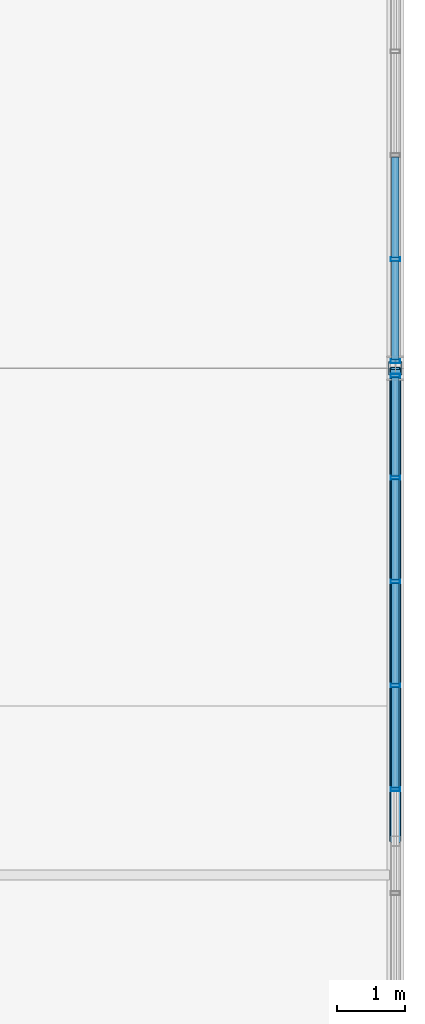
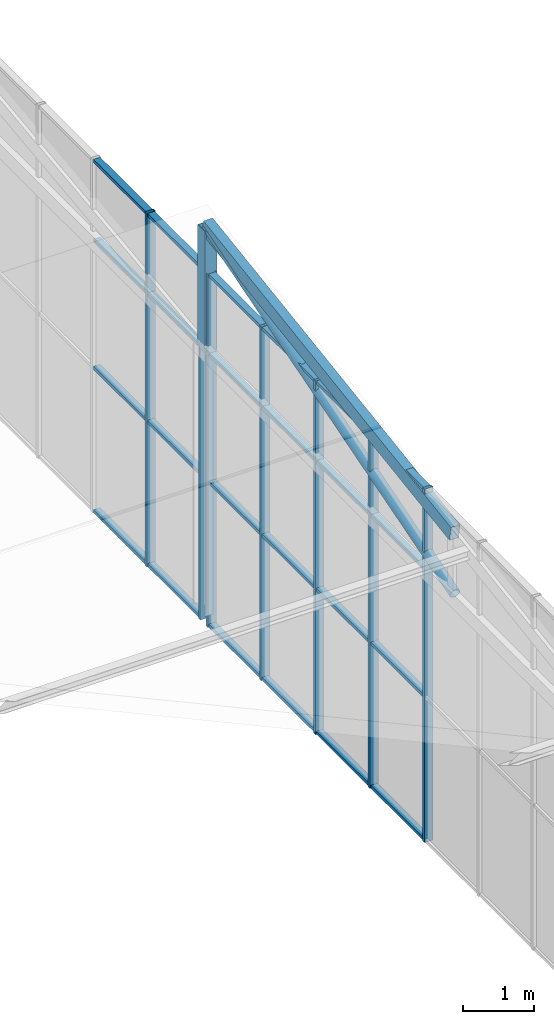
# One storey, part 67 of 104: 34 members, 2 elements without a shape of their own.
"""IFC4 building model written with IfcOpenShell, lengths in metres."""

import ifcopenshell
import ifcopenshell.guid

model = None  # the IFC model being written
_history = None  # IfcOwnerHistory: only IFC2X3 demands one
_inside = {}  # id of a spatial element -> (the spatial element, [elements in it])
_under = {}  # id of a project, library or spatial element -> (it, [spatial elements below it])
_declared = {}  # id of a project -> (the project, [libraries it declares])
_typed = {}  # id of a type object -> (the type object, [elements of that type])
_made_of = {}  # id of a material, layer set ... -> (it, [elements and type objects made of it])


def new_model(schema):
    """Start an empty IFC model of exactly this schema.

    Asked for "IFC4X3", IfcOpenShell would pick the latest addendum, in which some entities
    have other attributes; the version numbers below select the first issue.
    IFC2X3 requires an IfcOwnerHistory on every rooted entity: one is made here for all.
    """
    global model, _history
    if schema == "IFC4X3":
        model = ifcopenshell.file(schema_version=(4, 3, 0, 0))
    else:
        model = ifcopenshell.file(schema=schema)
    _inside.clear()
    _under.clear()
    _declared.clear()
    _typed.clear()
    _made_of.clear()
    _history = None
    if model.schema == "IFC2X3":
        org = make("IfcOrganization", Name="unknown")
        user = make(
            "IfcPersonAndOrganization",
            ThePerson=make("IfcPerson", FamilyName="unknown"),
            TheOrganization=org,
        )
        app = make(
            "IfcApplication",
            ApplicationDeveloper=org,
            Version="unknown",
            ApplicationFullName="unknown",
            ApplicationIdentifier="unknown",
        )
        _history = make(
            "IfcOwnerHistory",
            OwningUser=user,
            OwningApplication=app,
            ChangeAction="ADDED",
            CreationDate=0,
        )
    return model


def make(cls, **values):
    """One entity of the class cls with the attributes given. An attribute that is None is left unset."""
    return model.create_entity(
        cls, **{name: value for name, value in values.items() if value is not None}
    )


def rooted(cls, **values):
    """An entity with a GlobalId (a new one), such as an element, a storey or a relation."""
    return make(cls, GlobalId=ifcopenshell.guid.new(), OwnerHistory=_history, **values)


def si_unit(unit_type, name, prefix=None):
    """IfcSIUnit, for example si_unit("LENGTHUNIT", "METRE", prefix="MILLI")."""
    return make("IfcSIUnit", UnitType=unit_type, Prefix=prefix, Name=name)


def assignment(units):
    """IfcUnitAssignment: the units of a project."""
    return None if units is None else make("IfcUnitAssignment", Units=units)


def point(xyz):
    """IfcCartesianPoint."""
    return None if xyz is None else make("IfcCartesianPoint", Coordinates=xyz)


def direction(xyz):
    """IfcDirection."""
    return None if xyz is None else make("IfcDirection", DirectionRatios=xyz)


def frame(location, z_axis=None, x_axis=None):
    """IfcAxis2Placement3D, a coordinate frame: its origin and axes. An axis left out is left unset."""
    return make(
        "IfcAxis2Placement3D",
        Location=point(location),
        Axis=direction(z_axis),
        RefDirection=direction(x_axis),
    )


def frame_2d(location, x_axis=None):
    """IfcAxis2Placement2D, a coordinate frame in the plane: its origin and x axis."""
    return make(
        "IfcAxis2Placement2D", Location=point(location), RefDirection=direction(x_axis)
    )


def origin():
    """The frame at (0, 0, 0) with its axes left unset."""
    return frame((0.0, 0.0, 0.0))


def origin_2d():
    """The frame at (0, 0) in the plane with its x axis left unset."""
    return frame_2d((0.0, 0.0))


def place(relative_to, where):
    """IfcLocalPlacement: puts the frame where relative to a parent placement (None: the world)."""
    return make(
        "IfcLocalPlacement", PlacementRelTo=relative_to, RelativePlacement=where
    )


def context(
    kind, dimensions, precision=None, world=None, true_north=None, identifier=None
):
    """IfcGeometricRepresentationContext, for example the 3D "Model" context."""
    return make(
        "IfcGeometricRepresentationContext",
        ContextIdentifier=identifier,
        ContextType=kind,
        CoordinateSpaceDimension=dimensions,
        Precision=precision,
        WorldCoordinateSystem=world,
        TrueNorth=true_north,
    )


def subcontext(parent, identifier, kind, view, scale=None):
    """IfcGeometricRepresentationSubContext, for example "Body" below "Model"."""
    return make(
        "IfcGeometricRepresentationSubContext",
        ContextIdentifier=identifier,
        ContextType=kind,
        ParentContext=parent,
        TargetScale=scale,
        TargetView=view,
    )


def project(units=None, contexts=None):
    """IfcProject with its units and contexts."""
    return rooted(
        "IfcProject",
        Name="project",
        RepresentationContexts=contexts,
        UnitsInContext=assignment(units),
    )


def spatial(cls, under=None, at=None, **own):
    """A site, building, storey or space (cls), placed at a placement, below another one or the project."""
    s = rooted(cls, ObjectPlacement=at, **own)
    if under is not None:
        _under.setdefault(under.id(), (under, []))[1].append(s)
    return s


def profile(cls, at=None, kind="AREA", **sizes):
    """A parametric profile (cls). Its sizes go by their IFC names, for example OverallWidth=200.0."""
    return make(cls, ProfileType=kind, Position=at, **sizes)


def hollow_rectangle(**sizes):
    """IfcRectangleHollowProfileDef."""
    return profile("IfcRectangleHollowProfileDef", **sizes)


def hollow_circle(**sizes):
    """IfcCircleHollowProfileDef."""
    return profile("IfcCircleHollowProfileDef", **sizes)


def extrude(swept, where, along, depth):
    """IfcExtrudedAreaSolid: the profile swept, set in the frame where, extruded along a direction by depth."""
    return make(
        "IfcExtrudedAreaSolid",
        SweptArea=swept,
        Position=where,
        ExtrudedDirection=direction(along),
        Depth=depth,
    )


def shape(context_of_items, identifier, shape_type, items):
    """IfcShapeRepresentation: the items that make up one representation, for example the "Body"."""
    return make(
        "IfcShapeRepresentation",
        ContextOfItems=context_of_items,
        RepresentationIdentifier=identifier,
        RepresentationType=shape_type,
        Items=items,
    )


def material(Name=None, Category=None):
    """IfcMaterial."""
    return make("IfcMaterial", Name=Name, Category=Category)


def layer(
    of_material, thickness, ventilated=None, Name=None, Category=None, Priority=None
):
    """IfcMaterialLayer: one layer of a wall or slab, of a material (None: an air gap)."""
    return make(
        "IfcMaterialLayer",
        Material=of_material,
        LayerThickness=thickness,
        IsVentilated=ventilated,
        Name=Name,
        Category=Category,
        Priority=Priority,
    )


def layer_set(layers, Name=None):
    """IfcMaterialLayerSet."""
    return make("IfcMaterialLayerSet", MaterialLayers=layers, LayerSetName=Name)


def material_profile(
    of_material, cross_section, Name=None, Category=None, Priority=None
):
    """IfcMaterialProfile: a cross section and its material."""
    return make(
        "IfcMaterialProfile",
        Name=Name,
        Material=of_material,
        Profile=cross_section,
        Priority=Priority,
        Category=Category,
    )


def profile_set(profiles, Name=None, composite=None):
    """IfcMaterialProfileSet."""
    return make(
        "IfcMaterialProfileSet",
        Name=Name,
        MaterialProfiles=profiles,
        CompositeProfile=composite,
    )


def made_of(thing, what):
    """Note that an element or type object is made of a material, layer set ...; save() writes the relation."""
    if what is not None:
        _made_of.setdefault(what.id(), (what, []))[1].append(thing)
    return thing


def type_object(cls, material=None, **own):
    """A type object (cls), such as IfcWallType, which elements share."""
    return made_of(rooted(cls, **own), material)


def element(
    cls,
    number,
    at=None,
    inside=None,
    cuts=None,
    type_object=None,
    material=None,
    context=None,
    identifier="Body",
    shape_type=None,
    held_by="IfcProductDefinitionShape",
    body=None,
    shapes=None,
    **own,
):
    """One element of the class cls, such as IfcWall. Its Tag is "e" and its number.

    at: its placement. inside: the storey or other place that contains it. cuts: it is an
    opening in that element (IfcRelVoidsElement). A single representation is given by context,
    identifier, shape_type and body (its items); several are given by shapes. held_by: the class
    of the entity that holds the representations. save() writes the other relations.
    """
    e = rooted(cls, Tag="e%d" % number, ObjectPlacement=at, **own)
    if body is not None:
        shapes = [shape(context, identifier, shape_type, body)]
    if shapes is not None:
        e.Representation = make(held_by, Representations=shapes)
    if inside is not None:
        _inside.setdefault(inside.id(), (inside, []))[1].append(e)
    if cuts is not None:
        rooted(
            "IfcRelVoidsElement", RelatingBuildingElement=cuts, RelatedOpeningElement=e
        )
    if type_object is not None:
        _typed.setdefault(type_object.id(), (type_object, []))[1].append(e)
    return made_of(e, material)


def aggregate(whole, parts):
    """IfcRelAggregates: a whole, such as a stair, and the parts it consists of."""
    return rooted("IfcRelAggregates", RelatingObject=whole, RelatedObjects=parts)


def save(model, path):
    """Write the relations noted so far, then the file.

    IfcRelAggregates (storeys below a building ...), IfcRelContainedInSpatialStructure (elements
    in a storey), IfcRelDefinesByType, IfcRelAssociatesMaterial and IfcRelDeclares: one each for
    every whole, place, type object, material and project.
    """
    for whole, parts in _under.values():
        aggregate(whole, parts)
    for where, things in _inside.values():
        rooted(
            "IfcRelContainedInSpatialStructure",
            RelatedElements=things,
            RelatingStructure=where,
        )
    for kind, things in _typed.values():
        rooted("IfcRelDefinesByType", RelatedObjects=things, RelatingType=kind)
    for what, things in _made_of.values():
        rooted("IfcRelAssociatesMaterial", RelatedObjects=things, RelatingMaterial=what)
    for by, libraries in _declared.values():
        rooted("IfcRelDeclares", RelatingContext=by, RelatedDefinitions=libraries)
    model.write(path)


model = new_model("IFC4")

# Units and contexts
model_context = context("Model", 3, precision=1e-05, world=origin(), true_north=direction((0.0, 1.0)))
body_context = subcontext(model_context, "Body", "Model", "MODEL_VIEW")
ifc_project = project(units=[si_unit("LENGTHUNIT", "METRE"), si_unit("AREAUNIT", "SQUARE_METRE"), si_unit("VOLUMEUNIT", "CUBIC_METRE"), si_unit("PLANEANGLEUNIT", "RADIAN"), si_unit("MASSUNIT", "GRAM", prefix="KILO")], contexts=[model_context])

# Site, building, storey
site_placement = place(None, origin())
site = spatial("IfcSite", under=ifc_project, at=site_placement, CompositionType="ELEMENT")
building_placement = place(site_placement, origin())
building = spatial("IfcBuilding", under=site, at=building_placement, Name="Solvenia Promenade Tram Depot", CompositionType="ELEMENT")
storey_placement = place(building_placement, frame((0.0, 0.0, 9.0)))
storey = spatial("IfcBuildingStorey", under=building, at=storey_placement, Name="L02", CompositionType="ELEMENT", Elevation=9.0)

# Curtain wall, members
ifc_material_1 = material(Name="Anodized aluminium AW-6063 T6", Category="aluminium")
ifc_layer = layer(ifc_material_1, 0.080078125, Name="Anodized aluminium AW-6063 T6", Category="aluminium")
ifc_layer_set = layer_set([ifc_layer], Name="Anodized aluminium AW-6063 T6")
curtain_wall_type = type_object("IfcCurtainWallType", Name="CW-Clerest-1500", PredefinedType="NOTDEFINED", material=ifc_layer_set)
curtain_wall_1_placement = place(storey_placement, origin())
curtain_wall_1 = element("IfcCurtainWall", 1, at=curtain_wall_1_placement, inside=storey, type_object=curtain_wall_type, Name="Curtain Wall CW-V2E-L2-1", PredefinedType="NOTDEFINED")
ifc_material_profile_1 = material_profile(ifc_material_1, hollow_rectangle(XDim=0.139892578125, YDim=0.054931640625, WallThickness=0.00390625, at=origin_2d()), Name="ALU-M4", Category="aluminium")
ifc_profile_set_1 = profile_set([ifc_material_profile_1], Name="Anodized aluminium AW-6063 T6")
member_type_1 = type_object("IfcMemberType", Name="CWM-Mullion-4", PredefinedType="MULLION", material=ifc_profile_set_1)
member_1_placement = place(storey_placement, frame((186.0, 31.768798828125, -0.25), z_axis=(0.0, 0.0, 1.0), x_axis=(-1.0, 0.0, 0.0)))
member_1 = element("IfcMember", 2, at=member_1_placement, type_object=member_type_1, Name="CW-4 mullion 6", PredefinedType="MULLION", context=body_context, shape_type="SweptSolid", body=[
    extrude(hollow_rectangle(XDim=0.139892578125, YDim=0.054931640625, WallThickness=0.00390625, at=origin_2d()), origin(), (0.0, 0.0, 1.0), 6.10009765625),
])
member_2_placement = place(storey_placement, frame((186.0, 33.306640625, -0.25), z_axis=(0.0, 0.0, 1.0), x_axis=(-1.0, 0.0, 0.0)))
member_2 = element("IfcMember", 3, at=member_2_placement, type_object=member_type_1, Name="CW-4 mullion 7", PredefinedType="MULLION", context=body_context, shape_type="SweptSolid", body=[
    extrude(hollow_rectangle(XDim=0.139892578125, YDim=0.054931640625, WallThickness=0.00390625, at=origin_2d()), origin(), (0.0, 0.0, 1.0), 6.10009765625),
])
member_3_placement = place(storey_placement, frame((186.0, 34.844482421875, -0.25), z_axis=(0.0, 0.0, 1.0), x_axis=(-1.0, 0.0, 0.0)))
member_3 = element("IfcMember", 4, at=member_3_placement, type_object=member_type_1, Name="CW-4 mullion 8", PredefinedType="MULLION", context=body_context, shape_type="SweptSolid", body=[
    extrude(hollow_rectangle(XDim=0.139892578125, YDim=0.054931640625, WallThickness=0.00390625, at=origin_2d()), origin(), (0.0, 0.0, 1.0), 6.10009765625),
])
member_4_placement = place(storey_placement, frame((186.0, 36.38232421875, -0.25), z_axis=(0.0, 0.0, 1.0), x_axis=(-1.0, 0.0, 0.0)))
member_4 = element("IfcMember", 5, at=member_4_placement, type_object=member_type_1, Name="CW-4 mullion 9", PredefinedType="MULLION", context=body_context, shape_type="SweptSolid", body=[
    extrude(hollow_rectangle(XDim=0.139892578125, YDim=0.054931640625, WallThickness=0.00390625, at=origin_2d()), origin(), (0.0, 0.0, 1.0), 6.10009765625),
])
member_5_placement = place(storey_placement, frame((186.0, 37.892578125, -0.25), z_axis=(0.0, 0.0, 1.0), x_axis=(-1.0, 0.0, 0.0)))
member_5 = element("IfcMember", 6, at=member_5_placement, type_object=member_type_1, Name="CW-4 mullion 10", PredefinedType="MULLION", context=body_context, shape_type="SweptSolid", body=[
    extrude(hollow_rectangle(XDim=0.139892578125, YDim=0.054931640625, WallThickness=0.00390625, at=origin_2d()), origin(), (0.0, 0.0, 1.0), 6.10009765625),
])

curtain_wall_2_placement = place(storey_placement, origin())
curtain_wall_2 = element("IfcCurtainWall", 7, at=curtain_wall_2_placement, inside=storey, type_object=curtain_wall_type, Name="Curtain Wall CW-V2E-L2-2", PredefinedType="NOTDEFINED")
member_6_placement = place(storey_placement, frame((186.0, 38.107421875, -0.25), z_axis=(0.0, 0.0, 1.0), x_axis=(-1.0, 0.0, 0.0)))
member_6 = element("IfcMember", 8, at=member_6_placement, type_object=member_type_1, Name="CW-4 mullion 1", PredefinedType="MULLION", context=body_context, shape_type="SweptSolid", body=[
    extrude(hollow_rectangle(XDim=0.139892578125, YDim=0.054931640625, WallThickness=0.00390625, at=origin_2d()), origin(), (0.0, 0.0, 1.0), 6.10009765625),
])
member_7_placement = place(storey_placement, frame((186.0, 39.61767578125, -0.25), z_axis=(0.0, 0.0, 1.0), x_axis=(-1.0, 0.0, 0.0)))
member_7 = element("IfcMember", 9, at=member_7_placement, type_object=member_type_1, Name="CW-4 mullion 2", PredefinedType="MULLION", context=body_context, shape_type="SweptSolid", body=[
    extrude(hollow_rectangle(XDim=0.139892578125, YDim=0.054931640625, WallThickness=0.00390625, at=origin_2d()), origin(), (0.0, 0.0, 1.0), 6.10009765625),
])

# Member
ifc_material_profile_2 = material_profile(ifc_material_1, hollow_rectangle(XDim=0.110107421875, YDim=0.054931640625, WallThickness=0.00390625, at=origin_2d()), Name="ALU-T4", Category="aluminium")
ifc_profile_set_2 = profile_set([ifc_material_profile_2], Name="Anodized aluminium AW-6063 T6")
member_type_2 = type_object("IfcMemberType", Name="CWT-Transom-4", PredefinedType="USERDEFINED", material=ifc_profile_set_2)
member_8_placement = place(storey_placement, frame((186.0, 31.79638671875, -0.222412109375), z_axis=(0.0, 1.0, 0.0), x_axis=(-1.0, 0.0, 0.0)))
member_8 = element("IfcMember", 10, at=member_8_placement, type_object=member_type_2, Name="CW-4 transom 6.1", ObjectType="TRANSOM", PredefinedType="USERDEFINED", context=body_context, shape_type="SweptSolid", body=[
    extrude(hollow_rectangle(XDim=0.110107421875, YDim=0.054931640625, WallThickness=0.00390625, at=origin_2d()), origin(), (0.0, 0.0, 1.0), 1.482666015625),
])

member_9_placement = place(storey_placement, frame((186.0, 31.79638671875, 2.25), z_axis=(0.0, 1.0, 0.0), x_axis=(-1.0, 0.0, 0.0)))
member_9 = element("IfcMember", 11, at=member_9_placement, type_object=member_type_2, Name="CW-4 transom 6.2", ObjectType="TRANSOM", PredefinedType="USERDEFINED", context=body_context, shape_type="SweptSolid", body=[
    extrude(hollow_rectangle(XDim=0.110107421875, YDim=0.054931640625, WallThickness=0.00390625, at=origin_2d()), origin(), (0.0, 0.0, 1.0), 1.482666015625),
])

member_10_placement = place(storey_placement, frame((186.0, 31.79638671875, 4.449951171875), z_axis=(0.0, 1.0, 0.0), x_axis=(-1.0, 0.0, 0.0)))
member_10 = element("IfcMember", 12, at=member_10_placement, type_object=member_type_2, Name="CW-4 transom 6.3", ObjectType="TRANSOM", PredefinedType="USERDEFINED", context=body_context, shape_type="SweptSolid", body=[
    extrude(hollow_rectangle(XDim=0.110107421875, YDim=0.054931640625, WallThickness=0.00390625, at=origin_2d()), origin(), (0.0, 0.0, 1.0), 1.482666015625),
])

member_11_placement = place(storey_placement, frame((186.0, 31.79638671875, 5.822509765625), z_axis=(0.0, 1.0, 0.0), x_axis=(-1.0, 0.0, 0.0)))
member_11 = element("IfcMember", 13, at=member_11_placement, type_object=member_type_2, Name="CW-4 transom 6.4", ObjectType="TRANSOM", PredefinedType="USERDEFINED", context=body_context, shape_type="SweptSolid", body=[
    extrude(hollow_rectangle(XDim=0.110107421875, YDim=0.054931640625, WallThickness=0.00390625, at=origin_2d()), origin(), (0.0, 0.0, 1.0), 1.482666015625),
])

member_12_placement = place(storey_placement, frame((186.0, 33.334228515625, -0.222412109375), z_axis=(0.0, 1.0, 0.0), x_axis=(-1.0, 0.0, 0.0)))
member_12 = element("IfcMember", 14, at=member_12_placement, type_object=member_type_2, Name="CW-4 transom 7.1", ObjectType="TRANSOM", PredefinedType="USERDEFINED", context=body_context, shape_type="SweptSolid", body=[
    extrude(hollow_rectangle(XDim=0.110107421875, YDim=0.054931640625, WallThickness=0.00390625, at=origin_2d()), origin(), (0.0, 0.0, 1.0), 1.482666015625),
])

member_13_placement = place(storey_placement, frame((186.0, 33.334228515625, 2.25), z_axis=(0.0, 1.0, 0.0), x_axis=(-1.0, 0.0, 0.0)))
member_13 = element("IfcMember", 15, at=member_13_placement, type_object=member_type_2, Name="CW-4 transom 7.2", ObjectType="TRANSOM", PredefinedType="USERDEFINED", context=body_context, shape_type="SweptSolid", body=[
    extrude(hollow_rectangle(XDim=0.110107421875, YDim=0.054931640625, WallThickness=0.00390625, at=origin_2d()), origin(), (0.0, 0.0, 1.0), 1.482666015625),
])

member_14_placement = place(storey_placement, frame((186.0, 33.334228515625, 4.449951171875), z_axis=(0.0, 1.0, 0.0), x_axis=(-1.0, 0.0, 0.0)))
member_14 = element("IfcMember", 16, at=member_14_placement, type_object=member_type_2, Name="CW-4 transom 7.3", ObjectType="TRANSOM", PredefinedType="USERDEFINED", context=body_context, shape_type="SweptSolid", body=[
    extrude(hollow_rectangle(XDim=0.110107421875, YDim=0.054931640625, WallThickness=0.00390625, at=origin_2d()), origin(), (0.0, 0.0, 1.0), 1.482666015625),
])

member_15_placement = place(storey_placement, frame((186.0, 33.334228515625, 5.822509765625), z_axis=(0.0, 1.0, 0.0), x_axis=(-1.0, 0.0, 0.0)))
member_15 = element("IfcMember", 17, at=member_15_placement, type_object=member_type_2, Name="CW-4 transom 7.4", ObjectType="TRANSOM", PredefinedType="USERDEFINED", context=body_context, shape_type="SweptSolid", body=[
    extrude(hollow_rectangle(XDim=0.110107421875, YDim=0.054931640625, WallThickness=0.00390625, at=origin_2d()), origin(), (0.0, 0.0, 1.0), 1.482666015625),
])

member_16_placement = place(storey_placement, frame((186.0, 34.871826171875, -0.222412109375), z_axis=(0.0, 1.0, 0.0), x_axis=(-1.0, 0.0, 0.0)))
member_16 = element("IfcMember", 18, at=member_16_placement, type_object=member_type_2, Name="CW-4 transom 8.1", ObjectType="TRANSOM", PredefinedType="USERDEFINED", context=body_context, shape_type="SweptSolid", body=[
    extrude(hollow_rectangle(XDim=0.110107421875, YDim=0.054931640625, WallThickness=0.00390625, at=origin_2d()), origin(), (0.0, 0.0, 1.0), 1.48291015625),
])

member_17_placement = place(storey_placement, frame((186.0, 34.871826171875, 2.25), z_axis=(0.0, 1.0, 0.0), x_axis=(-1.0, 0.0, 0.0)))
member_17 = element("IfcMember", 19, at=member_17_placement, type_object=member_type_2, Name="CW-4 transom 8.2", ObjectType="TRANSOM", PredefinedType="USERDEFINED", context=body_context, shape_type="SweptSolid", body=[
    extrude(hollow_rectangle(XDim=0.110107421875, YDim=0.054931640625, WallThickness=0.00390625, at=origin_2d()), origin(), (0.0, 0.0, 1.0), 1.48291015625),
])

member_18_placement = place(storey_placement, frame((186.0, 34.871826171875, 4.449951171875), z_axis=(0.0, 1.0, 0.0), x_axis=(-1.0, 0.0, 0.0)))
member_18 = element("IfcMember", 20, at=member_18_placement, type_object=member_type_2, Name="CW-4 transom 8.3", ObjectType="TRANSOM", PredefinedType="USERDEFINED", context=body_context, shape_type="SweptSolid", body=[
    extrude(hollow_rectangle(XDim=0.110107421875, YDim=0.054931640625, WallThickness=0.00390625, at=origin_2d()), origin(), (0.0, 0.0, 1.0), 1.48291015625),
])

member_19_placement = place(storey_placement, frame((186.0, 34.871826171875, 5.822509765625), z_axis=(0.0, 1.0, 0.0), x_axis=(-1.0, 0.0, 0.0)))
member_19 = element("IfcMember", 21, at=member_19_placement, type_object=member_type_2, Name="CW-4 transom 8.4", ObjectType="TRANSOM", PredefinedType="USERDEFINED", context=body_context, shape_type="SweptSolid", body=[
    extrude(hollow_rectangle(XDim=0.110107421875, YDim=0.054931640625, WallThickness=0.00390625, at=origin_2d()), origin(), (0.0, 0.0, 1.0), 1.48291015625),
])

member_20_placement = place(storey_placement, frame((186.0, 36.40966796875, -0.222412109375), z_axis=(0.0, 1.0, 0.0), x_axis=(-1.0, 0.0, 0.0)))
member_20 = element("IfcMember", 22, at=member_20_placement, type_object=member_type_2, Name="CW-4 transom 9.1", ObjectType="TRANSOM", PredefinedType="USERDEFINED", context=body_context, shape_type="SweptSolid", body=[
    extrude(hollow_rectangle(XDim=0.110107421875, YDim=0.054931640625, WallThickness=0.00390625, at=origin_2d()), origin(), (0.0, 0.0, 1.0), 1.455322265625),
])

member_21_placement = place(storey_placement, frame((186.0, 36.40966796875, 2.25), z_axis=(0.0, 1.0, 0.0), x_axis=(-1.0, 0.0, 0.0)))
member_21 = element("IfcMember", 23, at=member_21_placement, type_object=member_type_2, Name="CW-4 transom 9.2", ObjectType="TRANSOM", PredefinedType="USERDEFINED", context=body_context, shape_type="SweptSolid", body=[
    extrude(hollow_rectangle(XDim=0.110107421875, YDim=0.054931640625, WallThickness=0.00390625, at=origin_2d()), origin(), (0.0, 0.0, 1.0), 1.455322265625),
])

member_22_placement = place(storey_placement, frame((186.0, 36.40966796875, 4.449951171875), z_axis=(0.0, 1.0, 0.0), x_axis=(-1.0, 0.0, 0.0)))
member_22 = element("IfcMember", 24, at=member_22_placement, type_object=member_type_2, Name="CW-4 transom 9.3", ObjectType="TRANSOM", PredefinedType="USERDEFINED", context=body_context, shape_type="SweptSolid", body=[
    extrude(hollow_rectangle(XDim=0.110107421875, YDim=0.054931640625, WallThickness=0.00390625, at=origin_2d()), origin(), (0.0, 0.0, 1.0), 1.455322265625),
])

member_23_placement = place(storey_placement, frame((186.0, 36.40966796875, 5.822509765625), z_axis=(0.0, 1.0, 0.0), x_axis=(-1.0, 0.0, 0.0)))
member_23 = element("IfcMember", 25, at=member_23_placement, type_object=member_type_2, Name="CW-4 transom 9.4", ObjectType="TRANSOM", PredefinedType="USERDEFINED", context=body_context, shape_type="SweptSolid", body=[
    extrude(hollow_rectangle(XDim=0.110107421875, YDim=0.054931640625, WallThickness=0.00390625, at=origin_2d()), origin(), (0.0, 0.0, 1.0), 1.455322265625),
])

aggregate(curtain_wall_1, [member_1, member_2, member_3, member_4, member_5, member_8, member_9, member_10, member_11, member_12, member_13, member_14, member_15, member_16, member_17, member_18, member_19, member_20, member_21, member_22, member_23])

member_24_placement = place(storey_placement, frame((186.0, 38.135009765625, -0.222412109375), z_axis=(0.0, 1.0, 0.0), x_axis=(-1.0, 0.0, 0.0)))
member_24 = element("IfcMember", 26, at=member_24_placement, type_object=member_type_2, Name="CW-4 transom 1.1", ObjectType="TRANSOM", PredefinedType="USERDEFINED", context=body_context, shape_type="SweptSolid", body=[
    extrude(hollow_rectangle(XDim=0.110107421875, YDim=0.054931640625, WallThickness=0.00390625, at=origin_2d()), origin(), (0.0, 0.0, 1.0), 1.455322265625),
])

member_25_placement = place(storey_placement, frame((186.0, 38.135009765625, 2.25), z_axis=(0.0, 1.0, 0.0), x_axis=(-1.0, 0.0, 0.0)))
member_25 = element("IfcMember", 27, at=member_25_placement, type_object=member_type_2, Name="CW-4 transom 1.2", ObjectType="TRANSOM", PredefinedType="USERDEFINED", context=body_context, shape_type="SweptSolid", body=[
    extrude(hollow_rectangle(XDim=0.110107421875, YDim=0.054931640625, WallThickness=0.00390625, at=origin_2d()), origin(), (0.0, 0.0, 1.0), 1.455322265625),
])

member_26_placement = place(storey_placement, frame((186.0, 38.135009765625, 4.449951171875), z_axis=(0.0, 1.0, 0.0), x_axis=(-1.0, 0.0, 0.0)))
member_26 = element("IfcMember", 28, at=member_26_placement, type_object=member_type_2, Name="CW-4 transom 1.3", ObjectType="TRANSOM", PredefinedType="USERDEFINED", context=body_context, shape_type="SweptSolid", body=[
    extrude(hollow_rectangle(XDim=0.110107421875, YDim=0.054931640625, WallThickness=0.00390625, at=origin_2d()), origin(), (0.0, 0.0, 1.0), 1.455322265625),
])

member_27_placement = place(storey_placement, frame((186.0, 38.135009765625, 5.822509765625), z_axis=(0.0, 1.0, 0.0), x_axis=(-1.0, 0.0, 0.0)))
member_27 = element("IfcMember", 29, at=member_27_placement, type_object=member_type_2, Name="CW-4 transom 1.4", ObjectType="TRANSOM", PredefinedType="USERDEFINED", context=body_context, shape_type="SweptSolid", body=[
    extrude(hollow_rectangle(XDim=0.110107421875, YDim=0.054931640625, WallThickness=0.00390625, at=origin_2d()), origin(), (0.0, 0.0, 1.0), 1.455322265625),
])

member_28_placement = place(storey_placement, frame((186.0, 39.645263671875, -0.222412109375), z_axis=(0.0, 1.0, 0.0), x_axis=(-1.0, 0.0, 0.0)))
member_28 = element("IfcMember", 30, at=member_28_placement, type_object=member_type_2, Name="CW-4 transom 2.1", ObjectType="TRANSOM", PredefinedType="USERDEFINED", context=body_context, shape_type="SweptSolid", body=[
    extrude(hollow_rectangle(XDim=0.110107421875, YDim=0.054931640625, WallThickness=0.00390625, at=origin_2d()), origin(), (0.0, 0.0, 1.0), 1.48291015625),
])

member_29_placement = place(storey_placement, frame((186.0, 39.645263671875, 2.25), z_axis=(0.0, 1.0, 0.0), x_axis=(-1.0, 0.0, 0.0)))
member_29 = element("IfcMember", 31, at=member_29_placement, type_object=member_type_2, Name="CW-4 transom 2.2", ObjectType="TRANSOM", PredefinedType="USERDEFINED", context=body_context, shape_type="SweptSolid", body=[
    extrude(hollow_rectangle(XDim=0.110107421875, YDim=0.054931640625, WallThickness=0.00390625, at=origin_2d()), origin(), (0.0, 0.0, 1.0), 1.48291015625),
])

member_30_placement = place(storey_placement, frame((186.0, 39.645263671875, 4.449951171875), z_axis=(0.0, 1.0, 0.0), x_axis=(-1.0, 0.0, 0.0)))
member_30 = element("IfcMember", 32, at=member_30_placement, type_object=member_type_2, Name="CW-4 transom 2.3", ObjectType="TRANSOM", PredefinedType="USERDEFINED", context=body_context, shape_type="SweptSolid", body=[
    extrude(hollow_rectangle(XDim=0.110107421875, YDim=0.054931640625, WallThickness=0.00390625, at=origin_2d()), origin(), (0.0, 0.0, 1.0), 1.48291015625),
])

member_31_placement = place(storey_placement, frame((186.0, 39.645263671875, 5.822509765625), z_axis=(0.0, 1.0, 0.0), x_axis=(-1.0, 0.0, 0.0)))
member_31 = element("IfcMember", 33, at=member_31_placement, type_object=member_type_2, Name="CW-4 transom 2.4", ObjectType="TRANSOM", PredefinedType="USERDEFINED", context=body_context, shape_type="SweptSolid", body=[
    extrude(hollow_rectangle(XDim=0.110107421875, YDim=0.054931640625, WallThickness=0.00390625, at=origin_2d()), origin(), (0.0, 0.0, 1.0), 1.48291015625),
])

aggregate(curtain_wall_2, [member_6, member_7, member_24, member_25, member_26, member_27, member_28, member_29, member_30, member_31])

# Members
ifc_material_2 = material(Name="Structural steel ASTM A500 Gr. C", Category="steel")
ifc_material_profile_3 = material_profile(ifc_material_2, hollow_rectangle(XDim=0.14990234375, YDim=0.25, WallThickness=0.010009765625, at=origin_2d()), Name="HSS250x150x10", Category="steel")
ifc_profile_set_3 = profile_set([ifc_material_profile_3], Name="Structural steel ASTM A500 Gr. C")
member_type_3 = type_object("IfcMemberType", Name="Chord-HSS250x150x10", PredefinedType="CHORD", material=ifc_profile_set_3)
member_32_placement = place(storey_placement, frame((186.0, 31.0, 5.530029296875), z_axis=(0.0, 0.988935340875, 0.148347199397), x_axis=(-1.0, 0.0, 0.0)))
element("IfcMember", 34, at=member_32_placement, inside=storey, type_object=member_type_3, Name="Crane Hall Clerestory Rafter 10N", PredefinedType="CHORD", context=body_context, shape_type="SweptSolid", body=[
    extrude(hollow_rectangle(XDim=0.14990234375, YDim=0.25, WallThickness=0.010009765625, at=origin_2d()), origin(), (0.0, 0.0, 1.0), 7.078369140625),
])
ifc_material_profile_4 = material_profile(ifc_material_2, hollow_rectangle(XDim=0.199951171875, YDim=0.199951171875, WallThickness=0.010009765625, at=origin_2d()), Name="HSS200x200x10", Category="steel")
ifc_profile_set_4 = profile_set([ifc_material_profile_4], Name="Structural steel ASTM A500 Gr. C")
member_type_4 = type_object("IfcMemberType", Name="Post-HSS200x200x10", PredefinedType="POST", material=ifc_profile_set_4)
member_33_placement = place(storey_placement, frame((186.0, 38.0, 4.47998046875), z_axis=(0.0, 0.0, 1.0), x_axis=(1.0, 0.0, 0.0)))
element("IfcMember", 35, at=member_33_placement, inside=storey, type_object=member_type_4, Name="Crane Hall Clerestory Post 10", PredefinedType="POST", context=body_context, shape_type="SweptSolid", body=[
    extrude(hollow_rectangle(XDim=0.199951171875, YDim=0.199951171875, WallThickness=0.010009765625, at=origin_2d()), origin(), (0.0, 0.0, 1.0), 2.10009765625),
])
ifc_material_profile_5 = material_profile(ifc_material_2, hollow_circle(Radius=0.084228515625, WallThickness=0.008056640625, at=origin_2d()), Name="CHS168.3x8", Category="steel")
ifc_profile_set_5 = profile_set([ifc_material_profile_5], Name="Structural steel ASTM A500 Gr. C")
member_type_5 = type_object("IfcMemberType", Name="WebDiag-CHS168x8", PredefinedType="BRACE", material=ifc_profile_set_5)
member_34_placement = place(storey_placement, frame((186.0, 31.0, 4.47998046875), z_axis=(0.0, 0.957822607396, 0.287360144699), x_axis=(-1.0, 0.0, 0.0)))
element("IfcMember", 36, at=member_34_placement, inside=storey, type_object=member_type_5, Name="Crane Hall Truss Web Diagonal 10", PredefinedType="BRACE", context=body_context, shape_type="SweptSolid", body=[
    extrude(hollow_circle(Radius=0.084228515625, WallThickness=0.008056640625, at=origin_2d()), origin(), (0.0, 0.0, 1.0), 7.308349609375),
])

save(model, "model.ifc")
